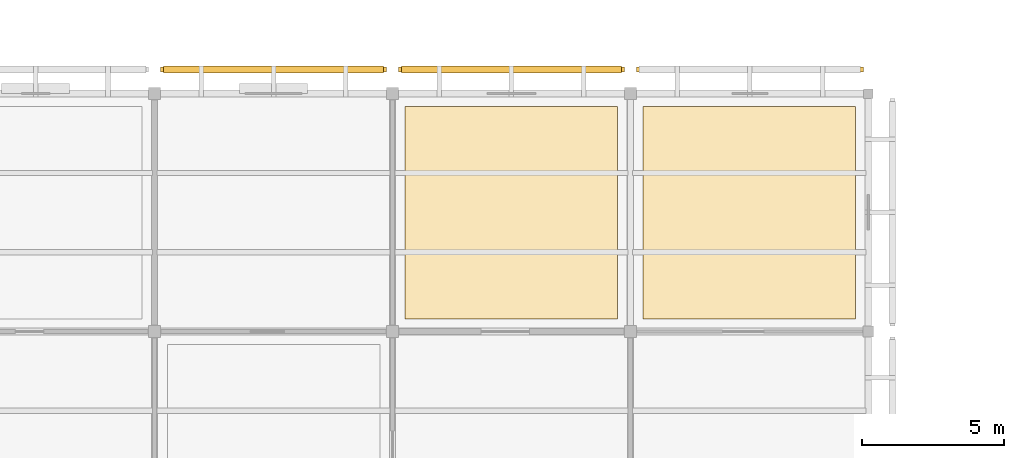
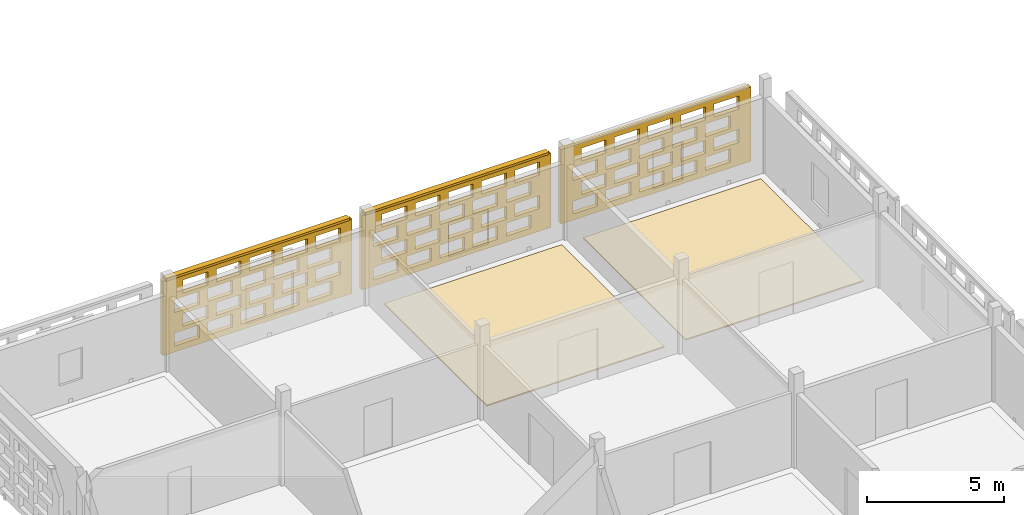
# One storey, part 94 of 103: 5 coverings, 2 shading devices, 60 openings.
"""IFC4 building model written with IfcOpenShell, lengths in metres."""

from ifc_helpers import new_model, si_unit, direction, frame, frame_2d, origin, origin_2d, place, context, subcontext, project, spatial, rectangle, extrude, material, layer, layer_set, type_object, element, save


model = new_model("IFC4")

# Units and contexts
model_context = context("Model", 3, precision=1e-05, world=origin(), true_north=direction((0.0, 1.0)))
body_context = subcontext(model_context, "Body", "Model", "MODEL_VIEW")
ifc_project = project(units=[si_unit("LENGTHUNIT", "METRE"), si_unit("AREAUNIT", "SQUARE_METRE"), si_unit("VOLUMEUNIT", "CUBIC_METRE"), si_unit("PLANEANGLEUNIT", "RADIAN"), si_unit("MASSUNIT", "GRAM", prefix="KILO")], contexts=[model_context])

# Site, building, storey
site_placement = place(None, origin())
site = spatial("IfcSite", under=ifc_project, at=site_placement, CompositionType="ELEMENT")
building_placement = place(site_placement, origin())
building = spatial("IfcBuilding", under=site, at=building_placement, Name="Varnapada Polytechnic", CompositionType="ELEMENT")
storey_placement = place(building_placement, frame((0.0, 0.0, 18.0)))
storey = spatial("IfcBuildingStorey", under=building, at=storey_placement, Name="L04", CompositionType="ELEMENT", Elevation=18.0)

# Coverings
ifc_material_1 = material(Name="End-Grain Timber Studio Block Flooring", Category="wood")
ifc_layer_1 = layer(ifc_material_1, 0.054931640625)
ifc_layer_set_1 = layer_set([ifc_layer_1], Name="End-Grain Timber Studio Block Flooring")
covering_type_1 = type_object("IfcCoveringType", Name="Floor Finish FLR-04", PredefinedType="FLOORING", material=ifc_layer_set_1)
for number, where, z_axis, x_axis, name in (
    (1, (21.0, 121.800048828125, 0.0), (0.0, 0.0, 1.0), (1.0, 0.0, 0.0), "L04 floor finish panel (3,15)"),
    (2, (29.39990234375, 121.800048828125, 0.0), (0.0, 0.0, 1.0), (1.0, 0.0, 0.0), "L04 floor finish panel (4,15)"),
):
    element("IfcCovering", number, at=place(storey_placement, frame(where, z_axis=z_axis, x_axis=x_axis)), inside=storey, type_object=covering_type_1, Name=name, PredefinedType="FLOORING", context=body_context, shape_type="SweptSolid", body=[
        extrude(rectangle(XDim=7.5, YDim=7.5, at=origin_2d()), origin(), (0.0, 0.0, 1.0), 0.054931640625),
    ])

# Covering, openings
ifc_material_2 = material(Name="Earth-toned architectural terracotta screen block", Category="masonry")
ifc_layer_2 = layer(ifc_material_2, 0.1201171875)
ifc_layer_set_2 = layer_set([ifc_layer_2], Name="Earth-toned architectural terracotta screen block")
covering_type_2 = type_object("IfcCoveringType", Name="Terracotta Screen Cladding CLD-01", PredefinedType="CLADDING", material=ifc_layer_set_2)
covering_1_placement = place(storey_placement, frame((8.610107421875, 126.85009765625, 0.0), z_axis=(0.0, 0.0, 1.0), x_axis=(1.0, 0.0, 0.0)))
covering_1 = element("IfcCovering", 3, at=covering_1_placement, inside=storey, type_object=covering_type_2, Name="L04 perforated terracotta block screen (13)", PredefinedType="CLADDING", context=body_context, shape_type="SweptSolid", body=[
    extrude(rectangle(XDim=7.97998046875, YDim=0.179931640625, at=frame_2d((3.989990234375, 0.0))), origin(), (0.0, 0.0, 1.0), 3.320068359375),
])
opening_1_placement = place(covering_1_placement, frame((0.489990234375, 0.0, 0.265625)))
element("IfcOpeningElement", 4, at=opening_1_placement, cuts=covering_1, Name="Screen perforation TBS-L04-012.1", PredefinedType="OPENING", context=body_context, shape_type="SweptSolid", body=[
    extrude(rectangle(XDim=1.0400390625, YDim=0.5810546875, at=frame_2d((0.52001953125, 0.29052734375))), frame((0.0, 0.099853515625, 0.0), z_axis=(0.0, -1.0, 0.0), x_axis=(1.0, 0.0, 0.0)), (0.0, 0.0, 1.0), 0.199951171875),
])
opening_2_placement = place(covering_1_placement, frame((1.889892578125, 0.0, 0.265625)))
element("IfcOpeningElement", 5, at=opening_2_placement, cuts=covering_1, Name="Screen perforation TBS-L04-012.2", PredefinedType="OPENING", context=body_context, shape_type="SweptSolid", body=[
    extrude(rectangle(XDim=1.0400390625, YDim=0.5810546875, at=frame_2d((0.52001953125, 0.29052734375))), frame((0.0, 0.099853515625, 0.0), z_axis=(0.0, -1.0, 0.0), x_axis=(1.0, 0.0, 0.0)), (0.0, 0.0, 1.0), 0.199951171875),
])
opening_3_placement = place(covering_1_placement, frame((3.2900390625, 0.0, 0.265625)))
element("IfcOpeningElement", 6, at=opening_3_placement, cuts=covering_1, Name="Screen perforation TBS-L04-012.3", PredefinedType="OPENING", context=body_context, shape_type="SweptSolid", body=[
    extrude(rectangle(XDim=1.0400390625, YDim=0.5810546875, at=frame_2d((0.52001953125, 0.29052734375))), frame((0.0, 0.099853515625, 0.0), z_axis=(0.0, -1.0, 0.0), x_axis=(1.0, 0.0, 0.0)), (0.0, 0.0, 1.0), 0.199951171875),
])
opening_4_placement = place(covering_1_placement, frame((4.68994140625, 0.0, 0.265625)))
element("IfcOpeningElement", 7, at=opening_4_placement, cuts=covering_1, Name="Screen perforation TBS-L04-012.4", PredefinedType="OPENING", context=body_context, shape_type="SweptSolid", body=[
    extrude(rectangle(XDim=1.0400390625, YDim=0.5810546875, at=frame_2d((0.52001953125, 0.29052734375))), frame((0.0, 0.099853515625, 0.0), z_axis=(0.0, -1.0, 0.0), x_axis=(1.0, 0.0, 0.0)), (0.0, 0.0, 1.0), 0.199951171875),
])
opening_5_placement = place(covering_1_placement, frame((6.090087890625, 0.0, 0.265625)))
element("IfcOpeningElement", 8, at=opening_5_placement, cuts=covering_1, Name="Screen perforation TBS-L04-012.5", PredefinedType="OPENING", context=body_context, shape_type="SweptSolid", body=[
    extrude(rectangle(XDim=1.0400390625, YDim=0.5810546875, at=frame_2d((0.52001953125, 0.29052734375))), frame((0.0, 0.099853515625, 0.0), z_axis=(0.0, -1.0, 0.0), x_axis=(1.0, 0.0, 0.0)), (0.0, 0.0, 1.0), 0.199951171875),
])
opening_6_placement = place(covering_1_placement, frame((0.85009765625, 0.0, 1.0126953125)))
element("IfcOpeningElement", 9, at=opening_6_placement, cuts=covering_1, Name="Screen perforation TBS-L04-012.6", PredefinedType="OPENING", context=body_context, shape_type="SweptSolid", body=[
    extrude(rectangle(XDim=1.0400390625, YDim=0.5810546875, at=frame_2d((0.52001953125, 0.29052734375))), frame((0.0, 0.099853515625, 0.0), z_axis=(0.0, -1.0, 0.0), x_axis=(1.0, 0.0, 0.0)), (0.0, 0.0, 1.0), 0.199951171875),
])
opening_7_placement = place(covering_1_placement, frame((2.25, 0.0, 1.0126953125)))
element("IfcOpeningElement", 10, at=opening_7_placement, cuts=covering_1, Name="Screen perforation TBS-L04-012.7", PredefinedType="OPENING", context=body_context, shape_type="SweptSolid", body=[
    extrude(rectangle(XDim=1.0400390625, YDim=0.5810546875, at=frame_2d((0.52001953125, 0.29052734375))), frame((0.0, 0.099853515625, 0.0), z_axis=(0.0, -1.0, 0.0), x_axis=(1.0, 0.0, 0.0)), (0.0, 0.0, 1.0), 0.199951171875),
])
opening_8_placement = place(covering_1_placement, frame((3.64990234375, 0.0, 1.0126953125)))
element("IfcOpeningElement", 11, at=opening_8_placement, cuts=covering_1, Name="Screen perforation TBS-L04-012.8", PredefinedType="OPENING", context=body_context, shape_type="SweptSolid", body=[
    extrude(rectangle(XDim=1.0400390625, YDim=0.5810546875, at=frame_2d((0.52001953125, 0.29052734375))), frame((0.0, 0.099853515625, 0.0), z_axis=(0.0, -1.0, 0.0), x_axis=(1.0, 0.0, 0.0)), (0.0, 0.0, 1.0), 0.199951171875),
])
opening_9_placement = place(covering_1_placement, frame((5.050048828125, 0.0, 1.0126953125)))
element("IfcOpeningElement", 12, at=opening_9_placement, cuts=covering_1, Name="Screen perforation TBS-L04-012.9", PredefinedType="OPENING", context=body_context, shape_type="SweptSolid", body=[
    extrude(rectangle(XDim=1.0400390625, YDim=0.5810546875, at=frame_2d((0.52001953125, 0.29052734375))), frame((0.0, 0.099853515625, 0.0), z_axis=(0.0, -1.0, 0.0), x_axis=(1.0, 0.0, 0.0)), (0.0, 0.0, 1.0), 0.199951171875),
])
opening_10_placement = place(covering_1_placement, frame((6.449951171875, 0.0, 1.0126953125)))
element("IfcOpeningElement", 13, at=opening_10_placement, cuts=covering_1, Name="Screen perforation TBS-L04-012.10", PredefinedType="OPENING", context=body_context, shape_type="SweptSolid", body=[
    extrude(rectangle(XDim=1.0400390625, YDim=0.5810546875, at=frame_2d((0.52001953125, 0.29052734375))), frame((0.0, 0.099853515625, 0.0), z_axis=(0.0, -1.0, 0.0), x_axis=(1.0, 0.0, 0.0)), (0.0, 0.0, 1.0), 0.199951171875),
])
opening_11_placement = place(covering_1_placement, frame((0.489990234375, 0.0, 1.759521484375)))
element("IfcOpeningElement", 14, at=opening_11_placement, cuts=covering_1, Name="Screen perforation TBS-L04-012.11", PredefinedType="OPENING", context=body_context, shape_type="SweptSolid", body=[
    extrude(rectangle(XDim=1.0400390625, YDim=0.5810546875, at=frame_2d((0.52001953125, 0.29052734375))), frame((0.0, 0.099853515625, 0.0), z_axis=(0.0, -1.0, 0.0), x_axis=(1.0, 0.0, 0.0)), (0.0, 0.0, 1.0), 0.199951171875),
])
opening_12_placement = place(covering_1_placement, frame((1.889892578125, 0.0, 1.759521484375)))
element("IfcOpeningElement", 15, at=opening_12_placement, cuts=covering_1, Name="Screen perforation TBS-L04-012.12", PredefinedType="OPENING", context=body_context, shape_type="SweptSolid", body=[
    extrude(rectangle(XDim=1.0400390625, YDim=0.5810546875, at=frame_2d((0.52001953125, 0.29052734375))), frame((0.0, 0.099853515625, 0.0), z_axis=(0.0, -1.0, 0.0), x_axis=(1.0, 0.0, 0.0)), (0.0, 0.0, 1.0), 0.199951171875),
])
opening_13_placement = place(covering_1_placement, frame((3.2900390625, 0.0, 1.759521484375)))
element("IfcOpeningElement", 16, at=opening_13_placement, cuts=covering_1, Name="Screen perforation TBS-L04-012.13", PredefinedType="OPENING", context=body_context, shape_type="SweptSolid", body=[
    extrude(rectangle(XDim=1.0400390625, YDim=0.5810546875, at=frame_2d((0.52001953125, 0.29052734375))), frame((0.0, 0.099853515625, 0.0), z_axis=(0.0, -1.0, 0.0), x_axis=(1.0, 0.0, 0.0)), (0.0, 0.0, 1.0), 0.199951171875),
])
opening_14_placement = place(covering_1_placement, frame((4.68994140625, 0.0, 1.759521484375)))
element("IfcOpeningElement", 17, at=opening_14_placement, cuts=covering_1, Name="Screen perforation TBS-L04-012.14", PredefinedType="OPENING", context=body_context, shape_type="SweptSolid", body=[
    extrude(rectangle(XDim=1.0400390625, YDim=0.5810546875, at=frame_2d((0.52001953125, 0.29052734375))), frame((0.0, 0.099853515625, 0.0), z_axis=(0.0, -1.0, 0.0), x_axis=(1.0, 0.0, 0.0)), (0.0, 0.0, 1.0), 0.199951171875),
])
opening_15_placement = place(covering_1_placement, frame((6.090087890625, 0.0, 1.759521484375)))
element("IfcOpeningElement", 18, at=opening_15_placement, cuts=covering_1, Name="Screen perforation TBS-L04-012.15", PredefinedType="OPENING", context=body_context, shape_type="SweptSolid", body=[
    extrude(rectangle(XDim=1.0400390625, YDim=0.5810546875, at=frame_2d((0.52001953125, 0.29052734375))), frame((0.0, 0.099853515625, 0.0), z_axis=(0.0, -1.0, 0.0), x_axis=(1.0, 0.0, 0.0)), (0.0, 0.0, 1.0), 0.199951171875),
])
opening_16_placement = place(covering_1_placement, frame((0.85009765625, 0.0, 2.506591796875)))
element("IfcOpeningElement", 19, at=opening_16_placement, cuts=covering_1, Name="Screen perforation TBS-L04-012.16", PredefinedType="OPENING", context=body_context, shape_type="SweptSolid", body=[
    extrude(rectangle(XDim=1.0400390625, YDim=0.5810546875, at=frame_2d((0.52001953125, 0.29052734375))), frame((0.0, 0.099853515625, 0.0), z_axis=(0.0, -1.0, 0.0), x_axis=(1.0, 0.0, 0.0)), (0.0, 0.0, 1.0), 0.199951171875),
])
opening_17_placement = place(covering_1_placement, frame((2.25, 0.0, 2.506591796875)))
element("IfcOpeningElement", 20, at=opening_17_placement, cuts=covering_1, Name="Screen perforation TBS-L04-012.17", PredefinedType="OPENING", context=body_context, shape_type="SweptSolid", body=[
    extrude(rectangle(XDim=1.0400390625, YDim=0.5810546875, at=frame_2d((0.52001953125, 0.29052734375))), frame((0.0, 0.099853515625, 0.0), z_axis=(0.0, -1.0, 0.0), x_axis=(1.0, 0.0, 0.0)), (0.0, 0.0, 1.0), 0.199951171875),
])
opening_18_placement = place(covering_1_placement, frame((3.64990234375, 0.0, 2.506591796875)))
element("IfcOpeningElement", 21, at=opening_18_placement, cuts=covering_1, Name="Screen perforation TBS-L04-012.18", PredefinedType="OPENING", context=body_context, shape_type="SweptSolid", body=[
    extrude(rectangle(XDim=1.0400390625, YDim=0.5810546875, at=frame_2d((0.52001953125, 0.29052734375))), frame((0.0, 0.099853515625, 0.0), z_axis=(0.0, -1.0, 0.0), x_axis=(1.0, 0.0, 0.0)), (0.0, 0.0, 1.0), 0.199951171875),
])
opening_19_placement = place(covering_1_placement, frame((5.050048828125, 0.0, 2.506591796875)))
element("IfcOpeningElement", 22, at=opening_19_placement, cuts=covering_1, Name="Screen perforation TBS-L04-012.19", PredefinedType="OPENING", context=body_context, shape_type="SweptSolid", body=[
    extrude(rectangle(XDim=1.0400390625, YDim=0.5810546875, at=frame_2d((0.52001953125, 0.29052734375))), frame((0.0, 0.099853515625, 0.0), z_axis=(0.0, -1.0, 0.0), x_axis=(1.0, 0.0, 0.0)), (0.0, 0.0, 1.0), 0.199951171875),
])
opening_20_placement = place(covering_1_placement, frame((6.449951171875, 0.0, 2.506591796875)))
element("IfcOpeningElement", 23, at=opening_20_placement, cuts=covering_1, Name="Screen perforation TBS-L04-012.20", PredefinedType="OPENING", context=body_context, shape_type="SweptSolid", body=[
    extrude(rectangle(XDim=1.0400390625, YDim=0.5810546875, at=frame_2d((0.52001953125, 0.29052734375))), frame((0.0, 0.099853515625, 0.0), z_axis=(0.0, -1.0, 0.0), x_axis=(1.0, 0.0, 0.0)), (0.0, 0.0, 1.0), 0.199951171875),
])

covering_2_placement = place(storey_placement, frame((17.010009765625, 126.85009765625, 0.0), z_axis=(0.0, 0.0, 1.0), x_axis=(1.0, 0.0, 0.0)))
covering_2 = element("IfcCovering", 24, at=covering_2_placement, inside=storey, type_object=covering_type_2, Name="L04 perforated terracotta block screen (20)", PredefinedType="CLADDING", context=body_context, shape_type="SweptSolid", body=[
    extrude(rectangle(XDim=7.97998046875, YDim=0.179931640625, at=frame_2d((3.989990234375, 0.0))), origin(), (0.0, 0.0, 1.0), 3.320068359375),
])
opening_21_placement = place(covering_2_placement, frame((0.489990234375, 0.0, 0.265625)))
element("IfcOpeningElement", 25, at=opening_21_placement, cuts=covering_2, Name="Screen perforation TBS-L04-019.1", PredefinedType="OPENING", context=body_context, shape_type="SweptSolid", body=[
    extrude(rectangle(XDim=1.0400390625, YDim=0.5810546875, at=frame_2d((0.52001953125, 0.29052734375))), frame((0.0, 0.099853515625, 0.0), z_axis=(0.0, -1.0, 0.0), x_axis=(1.0, 0.0, 0.0)), (0.0, 0.0, 1.0), 0.199951171875),
])
opening_22_placement = place(covering_2_placement, frame((1.889892578125, 0.0, 0.265625)))
element("IfcOpeningElement", 26, at=opening_22_placement, cuts=covering_2, Name="Screen perforation TBS-L04-019.2", PredefinedType="OPENING", context=body_context, shape_type="SweptSolid", body=[
    extrude(rectangle(XDim=1.0400390625, YDim=0.5810546875, at=frame_2d((0.52001953125, 0.29052734375))), frame((0.0, 0.099853515625, 0.0), z_axis=(0.0, -1.0, 0.0), x_axis=(1.0, 0.0, 0.0)), (0.0, 0.0, 1.0), 0.199951171875),
])
opening_23_placement = place(covering_2_placement, frame((3.2900390625, 0.0, 0.265625)))
element("IfcOpeningElement", 27, at=opening_23_placement, cuts=covering_2, Name="Screen perforation TBS-L04-019.3", PredefinedType="OPENING", context=body_context, shape_type="SweptSolid", body=[
    extrude(rectangle(XDim=1.0400390625, YDim=0.5810546875, at=frame_2d((0.52001953125, 0.29052734375))), frame((0.0, 0.099853515625, 0.0), z_axis=(0.0, -1.0, 0.0), x_axis=(1.0, 0.0, 0.0)), (0.0, 0.0, 1.0), 0.199951171875),
])
opening_24_placement = place(covering_2_placement, frame((4.68994140625, 0.0, 0.265625)))
element("IfcOpeningElement", 28, at=opening_24_placement, cuts=covering_2, Name="Screen perforation TBS-L04-019.4", PredefinedType="OPENING", context=body_context, shape_type="SweptSolid", body=[
    extrude(rectangle(XDim=1.0400390625, YDim=0.5810546875, at=frame_2d((0.52001953125, 0.29052734375))), frame((0.0, 0.099853515625, 0.0), z_axis=(0.0, -1.0, 0.0), x_axis=(1.0, 0.0, 0.0)), (0.0, 0.0, 1.0), 0.199951171875),
])
opening_25_placement = place(covering_2_placement, frame((6.090087890625, 0.0, 0.265625)))
element("IfcOpeningElement", 29, at=opening_25_placement, cuts=covering_2, Name="Screen perforation TBS-L04-019.5", PredefinedType="OPENING", context=body_context, shape_type="SweptSolid", body=[
    extrude(rectangle(XDim=1.0400390625, YDim=0.5810546875, at=frame_2d((0.52001953125, 0.29052734375))), frame((0.0, 0.099853515625, 0.0), z_axis=(0.0, -1.0, 0.0), x_axis=(1.0, 0.0, 0.0)), (0.0, 0.0, 1.0), 0.199951171875),
])
opening_26_placement = place(covering_2_placement, frame((0.85009765625, 0.0, 1.0126953125)))
element("IfcOpeningElement", 30, at=opening_26_placement, cuts=covering_2, Name="Screen perforation TBS-L04-019.6", PredefinedType="OPENING", context=body_context, shape_type="SweptSolid", body=[
    extrude(rectangle(XDim=1.0400390625, YDim=0.5810546875, at=frame_2d((0.52001953125, 0.29052734375))), frame((0.0, 0.099853515625, 0.0), z_axis=(0.0, -1.0, 0.0), x_axis=(1.0, 0.0, 0.0)), (0.0, 0.0, 1.0), 0.199951171875),
])
opening_27_placement = place(covering_2_placement, frame((2.25, 0.0, 1.0126953125)))
element("IfcOpeningElement", 31, at=opening_27_placement, cuts=covering_2, Name="Screen perforation TBS-L04-019.7", PredefinedType="OPENING", context=body_context, shape_type="SweptSolid", body=[
    extrude(rectangle(XDim=1.0400390625, YDim=0.5810546875, at=frame_2d((0.52001953125, 0.29052734375))), frame((0.0, 0.099853515625, 0.0), z_axis=(0.0, -1.0, 0.0), x_axis=(1.0, 0.0, 0.0)), (0.0, 0.0, 1.0), 0.199951171875),
])
opening_28_placement = place(covering_2_placement, frame((3.64990234375, 0.0, 1.0126953125)))
element("IfcOpeningElement", 32, at=opening_28_placement, cuts=covering_2, Name="Screen perforation TBS-L04-019.8", PredefinedType="OPENING", context=body_context, shape_type="SweptSolid", body=[
    extrude(rectangle(XDim=1.0400390625, YDim=0.5810546875, at=frame_2d((0.52001953125, 0.29052734375))), frame((0.0, 0.099853515625, 0.0), z_axis=(0.0, -1.0, 0.0), x_axis=(1.0, 0.0, 0.0)), (0.0, 0.0, 1.0), 0.199951171875),
])
opening_29_placement = place(covering_2_placement, frame((5.050048828125, 0.0, 1.0126953125)))
element("IfcOpeningElement", 33, at=opening_29_placement, cuts=covering_2, Name="Screen perforation TBS-L04-019.9", PredefinedType="OPENING", context=body_context, shape_type="SweptSolid", body=[
    extrude(rectangle(XDim=1.0400390625, YDim=0.5810546875, at=frame_2d((0.52001953125, 0.29052734375))), frame((0.0, 0.099853515625, 0.0), z_axis=(0.0, -1.0, 0.0), x_axis=(1.0, 0.0, 0.0)), (0.0, 0.0, 1.0), 0.199951171875),
])
opening_30_placement = place(covering_2_placement, frame((6.449951171875, 0.0, 1.0126953125)))
element("IfcOpeningElement", 34, at=opening_30_placement, cuts=covering_2, Name="Screen perforation TBS-L04-019.10", PredefinedType="OPENING", context=body_context, shape_type="SweptSolid", body=[
    extrude(rectangle(XDim=1.0400390625, YDim=0.5810546875, at=frame_2d((0.52001953125, 0.29052734375))), frame((0.0, 0.099853515625, 0.0), z_axis=(0.0, -1.0, 0.0), x_axis=(1.0, 0.0, 0.0)), (0.0, 0.0, 1.0), 0.199951171875),
])
opening_31_placement = place(covering_2_placement, frame((0.489990234375, 0.0, 1.759521484375)))
element("IfcOpeningElement", 35, at=opening_31_placement, cuts=covering_2, Name="Screen perforation TBS-L04-019.11", PredefinedType="OPENING", context=body_context, shape_type="SweptSolid", body=[
    extrude(rectangle(XDim=1.0400390625, YDim=0.5810546875, at=frame_2d((0.52001953125, 0.29052734375))), frame((0.0, 0.099853515625, 0.0), z_axis=(0.0, -1.0, 0.0), x_axis=(1.0, 0.0, 0.0)), (0.0, 0.0, 1.0), 0.199951171875),
])
opening_32_placement = place(covering_2_placement, frame((1.889892578125, 0.0, 1.759521484375)))
element("IfcOpeningElement", 36, at=opening_32_placement, cuts=covering_2, Name="Screen perforation TBS-L04-019.12", PredefinedType="OPENING", context=body_context, shape_type="SweptSolid", body=[
    extrude(rectangle(XDim=1.0400390625, YDim=0.5810546875, at=frame_2d((0.52001953125, 0.29052734375))), frame((0.0, 0.099853515625, 0.0), z_axis=(0.0, -1.0, 0.0), x_axis=(1.0, 0.0, 0.0)), (0.0, 0.0, 1.0), 0.199951171875),
])
opening_33_placement = place(covering_2_placement, frame((3.2900390625, 0.0, 1.759521484375)))
element("IfcOpeningElement", 37, at=opening_33_placement, cuts=covering_2, Name="Screen perforation TBS-L04-019.13", PredefinedType="OPENING", context=body_context, shape_type="SweptSolid", body=[
    extrude(rectangle(XDim=1.0400390625, YDim=0.5810546875, at=frame_2d((0.52001953125, 0.29052734375))), frame((0.0, 0.099853515625, 0.0), z_axis=(0.0, -1.0, 0.0), x_axis=(1.0, 0.0, 0.0)), (0.0, 0.0, 1.0), 0.199951171875),
])
opening_34_placement = place(covering_2_placement, frame((4.68994140625, 0.0, 1.759521484375)))
element("IfcOpeningElement", 38, at=opening_34_placement, cuts=covering_2, Name="Screen perforation TBS-L04-019.14", PredefinedType="OPENING", context=body_context, shape_type="SweptSolid", body=[
    extrude(rectangle(XDim=1.0400390625, YDim=0.5810546875, at=frame_2d((0.52001953125, 0.29052734375))), frame((0.0, 0.099853515625, 0.0), z_axis=(0.0, -1.0, 0.0), x_axis=(1.0, 0.0, 0.0)), (0.0, 0.0, 1.0), 0.199951171875),
])
opening_35_placement = place(covering_2_placement, frame((6.090087890625, 0.0, 1.759521484375)))
element("IfcOpeningElement", 39, at=opening_35_placement, cuts=covering_2, Name="Screen perforation TBS-L04-019.15", PredefinedType="OPENING", context=body_context, shape_type="SweptSolid", body=[
    extrude(rectangle(XDim=1.0400390625, YDim=0.5810546875, at=frame_2d((0.52001953125, 0.29052734375))), frame((0.0, 0.099853515625, 0.0), z_axis=(0.0, -1.0, 0.0), x_axis=(1.0, 0.0, 0.0)), (0.0, 0.0, 1.0), 0.199951171875),
])
opening_36_placement = place(covering_2_placement, frame((0.85009765625, 0.0, 2.506591796875)))
element("IfcOpeningElement", 40, at=opening_36_placement, cuts=covering_2, Name="Screen perforation TBS-L04-019.16", PredefinedType="OPENING", context=body_context, shape_type="SweptSolid", body=[
    extrude(rectangle(XDim=1.0400390625, YDim=0.5810546875, at=frame_2d((0.52001953125, 0.29052734375))), frame((0.0, 0.099853515625, 0.0), z_axis=(0.0, -1.0, 0.0), x_axis=(1.0, 0.0, 0.0)), (0.0, 0.0, 1.0), 0.199951171875),
])
opening_37_placement = place(covering_2_placement, frame((2.25, 0.0, 2.506591796875)))
element("IfcOpeningElement", 41, at=opening_37_placement, cuts=covering_2, Name="Screen perforation TBS-L04-019.17", PredefinedType="OPENING", context=body_context, shape_type="SweptSolid", body=[
    extrude(rectangle(XDim=1.0400390625, YDim=0.5810546875, at=frame_2d((0.52001953125, 0.29052734375))), frame((0.0, 0.099853515625, 0.0), z_axis=(0.0, -1.0, 0.0), x_axis=(1.0, 0.0, 0.0)), (0.0, 0.0, 1.0), 0.199951171875),
])
opening_38_placement = place(covering_2_placement, frame((3.64990234375, 0.0, 2.506591796875)))
element("IfcOpeningElement", 42, at=opening_38_placement, cuts=covering_2, Name="Screen perforation TBS-L04-019.18", PredefinedType="OPENING", context=body_context, shape_type="SweptSolid", body=[
    extrude(rectangle(XDim=1.0400390625, YDim=0.5810546875, at=frame_2d((0.52001953125, 0.29052734375))), frame((0.0, 0.099853515625, 0.0), z_axis=(0.0, -1.0, 0.0), x_axis=(1.0, 0.0, 0.0)), (0.0, 0.0, 1.0), 0.199951171875),
])
opening_39_placement = place(covering_2_placement, frame((5.050048828125, 0.0, 2.506591796875)))
element("IfcOpeningElement", 43, at=opening_39_placement, cuts=covering_2, Name="Screen perforation TBS-L04-019.19", PredefinedType="OPENING", context=body_context, shape_type="SweptSolid", body=[
    extrude(rectangle(XDim=1.0400390625, YDim=0.5810546875, at=frame_2d((0.52001953125, 0.29052734375))), frame((0.0, 0.099853515625, 0.0), z_axis=(0.0, -1.0, 0.0), x_axis=(1.0, 0.0, 0.0)), (0.0, 0.0, 1.0), 0.199951171875),
])
opening_40_placement = place(covering_2_placement, frame((6.449951171875, 0.0, 2.506591796875)))
element("IfcOpeningElement", 44, at=opening_40_placement, cuts=covering_2, Name="Screen perforation TBS-L04-019.20", PredefinedType="OPENING", context=body_context, shape_type="SweptSolid", body=[
    extrude(rectangle(XDim=1.0400390625, YDim=0.5810546875, at=frame_2d((0.52001953125, 0.29052734375))), frame((0.0, 0.099853515625, 0.0), z_axis=(0.0, -1.0, 0.0), x_axis=(1.0, 0.0, 0.0)), (0.0, 0.0, 1.0), 0.199951171875),
])

covering_3_placement = place(storey_placement, frame((25.409912109375, 126.85009765625, 0.0), z_axis=(0.0, 0.0, 1.0), x_axis=(1.0, 0.0, 0.0)))
covering_3 = element("IfcCovering", 45, at=covering_3_placement, inside=storey, type_object=covering_type_2, Name="L04 perforated terracotta block screen (32)", PredefinedType="CLADDING", context=body_context, shape_type="SweptSolid", body=[
    extrude(rectangle(XDim=8.02001953125, YDim=0.179931640625, at=frame_2d((4.010009765625, 0.0))), origin(), (0.0, 0.0, 1.0), 3.320068359375),
])
opening_41_placement = place(covering_3_placement, frame((0.510009765625, 0.0, 0.265625)))
element("IfcOpeningElement", 46, at=opening_41_placement, cuts=covering_3, Name="Screen perforation TBS-L04-031.1", PredefinedType="OPENING", context=body_context, shape_type="SweptSolid", body=[
    extrude(rectangle(XDim=1.0400390625, YDim=0.5810546875, at=frame_2d((0.52001953125, 0.29052734375))), frame((0.0, 0.099853515625, 0.0), z_axis=(0.0, -1.0, 0.0), x_axis=(1.0, 0.0, 0.0)), (0.0, 0.0, 1.0), 0.199951171875),
])
opening_42_placement = place(covering_3_placement, frame((1.909912109375, 0.0, 0.265625)))
element("IfcOpeningElement", 47, at=opening_42_placement, cuts=covering_3, Name="Screen perforation TBS-L04-031.2", PredefinedType="OPENING", context=body_context, shape_type="SweptSolid", body=[
    extrude(rectangle(XDim=1.0400390625, YDim=0.5810546875, at=frame_2d((0.52001953125, 0.29052734375))), frame((0.0, 0.099853515625, 0.0), z_axis=(0.0, -1.0, 0.0), x_axis=(1.0, 0.0, 0.0)), (0.0, 0.0, 1.0), 0.199951171875),
])
opening_43_placement = place(covering_3_placement, frame((3.31005859375, 0.0, 0.265625)))
element("IfcOpeningElement", 48, at=opening_43_placement, cuts=covering_3, Name="Screen perforation TBS-L04-031.3", PredefinedType="OPENING", context=body_context, shape_type="SweptSolid", body=[
    extrude(rectangle(XDim=1.0400390625, YDim=0.5810546875, at=frame_2d((0.52001953125, 0.29052734375))), frame((0.0, 0.099853515625, 0.0), z_axis=(0.0, -1.0, 0.0), x_axis=(1.0, 0.0, 0.0)), (0.0, 0.0, 1.0), 0.199951171875),
])
opening_44_placement = place(covering_3_placement, frame((4.7099609375, 0.0, 0.265625)))
element("IfcOpeningElement", 49, at=opening_44_placement, cuts=covering_3, Name="Screen perforation TBS-L04-031.4", PredefinedType="OPENING", context=body_context, shape_type="SweptSolid", body=[
    extrude(rectangle(XDim=1.0400390625, YDim=0.5810546875, at=frame_2d((0.52001953125, 0.29052734375))), frame((0.0, 0.099853515625, 0.0), z_axis=(0.0, -1.0, 0.0), x_axis=(1.0, 0.0, 0.0)), (0.0, 0.0, 1.0), 0.199951171875),
])
opening_45_placement = place(covering_3_placement, frame((6.110107421875, 0.0, 0.265625)))
element("IfcOpeningElement", 50, at=opening_45_placement, cuts=covering_3, Name="Screen perforation TBS-L04-031.5", PredefinedType="OPENING", context=body_context, shape_type="SweptSolid", body=[
    extrude(rectangle(XDim=1.0400390625, YDim=0.5810546875, at=frame_2d((0.52001953125, 0.29052734375))), frame((0.0, 0.099853515625, 0.0), z_axis=(0.0, -1.0, 0.0), x_axis=(1.0, 0.0, 0.0)), (0.0, 0.0, 1.0), 0.199951171875),
])
opening_46_placement = place(covering_3_placement, frame((0.8701171875, 0.0, 1.0126953125)))
element("IfcOpeningElement", 51, at=opening_46_placement, cuts=covering_3, Name="Screen perforation TBS-L04-031.6", PredefinedType="OPENING", context=body_context, shape_type="SweptSolid", body=[
    extrude(rectangle(XDim=1.0400390625, YDim=0.5810546875, at=frame_2d((0.52001953125, 0.29052734375))), frame((0.0, 0.099853515625, 0.0), z_axis=(0.0, -1.0, 0.0), x_axis=(1.0, 0.0, 0.0)), (0.0, 0.0, 1.0), 0.199951171875),
])
opening_47_placement = place(covering_3_placement, frame((2.27001953125, 0.0, 1.0126953125)))
element("IfcOpeningElement", 52, at=opening_47_placement, cuts=covering_3, Name="Screen perforation TBS-L04-031.7", PredefinedType="OPENING", context=body_context, shape_type="SweptSolid", body=[
    extrude(rectangle(XDim=1.0400390625, YDim=0.5810546875, at=frame_2d((0.52001953125, 0.29052734375))), frame((0.0, 0.099853515625, 0.0), z_axis=(0.0, -1.0, 0.0), x_axis=(1.0, 0.0, 0.0)), (0.0, 0.0, 1.0), 0.199951171875),
])
opening_48_placement = place(covering_3_placement, frame((3.669921875, 0.0, 1.0126953125)))
element("IfcOpeningElement", 53, at=opening_48_placement, cuts=covering_3, Name="Screen perforation TBS-L04-031.8", PredefinedType="OPENING", context=body_context, shape_type="SweptSolid", body=[
    extrude(rectangle(XDim=1.0400390625, YDim=0.5810546875, at=frame_2d((0.52001953125, 0.29052734375))), frame((0.0, 0.099853515625, 0.0), z_axis=(0.0, -1.0, 0.0), x_axis=(1.0, 0.0, 0.0)), (0.0, 0.0, 1.0), 0.199951171875),
])
opening_49_placement = place(covering_3_placement, frame((5.070068359375, 0.0, 1.0126953125)))
element("IfcOpeningElement", 54, at=opening_49_placement, cuts=covering_3, Name="Screen perforation TBS-L04-031.9", PredefinedType="OPENING", context=body_context, shape_type="SweptSolid", body=[
    extrude(rectangle(XDim=1.0400390625, YDim=0.5810546875, at=frame_2d((0.52001953125, 0.29052734375))), frame((0.0, 0.099853515625, 0.0), z_axis=(0.0, -1.0, 0.0), x_axis=(1.0, 0.0, 0.0)), (0.0, 0.0, 1.0), 0.199951171875),
])
opening_50_placement = place(covering_3_placement, frame((6.469970703125, 0.0, 1.0126953125)))
element("IfcOpeningElement", 55, at=opening_50_placement, cuts=covering_3, Name="Screen perforation TBS-L04-031.10", PredefinedType="OPENING", context=body_context, shape_type="SweptSolid", body=[
    extrude(rectangle(XDim=1.0400390625, YDim=0.5810546875, at=frame_2d((0.52001953125, 0.29052734375))), frame((0.0, 0.099853515625, 0.0), z_axis=(0.0, -1.0, 0.0), x_axis=(1.0, 0.0, 0.0)), (0.0, 0.0, 1.0), 0.199951171875),
])
opening_51_placement = place(covering_3_placement, frame((0.510009765625, 0.0, 1.759521484375)))
element("IfcOpeningElement", 56, at=opening_51_placement, cuts=covering_3, Name="Screen perforation TBS-L04-031.11", PredefinedType="OPENING", context=body_context, shape_type="SweptSolid", body=[
    extrude(rectangle(XDim=1.0400390625, YDim=0.5810546875, at=frame_2d((0.52001953125, 0.29052734375))), frame((0.0, 0.099853515625, 0.0), z_axis=(0.0, -1.0, 0.0), x_axis=(1.0, 0.0, 0.0)), (0.0, 0.0, 1.0), 0.199951171875),
])
opening_52_placement = place(covering_3_placement, frame((1.909912109375, 0.0, 1.759521484375)))
element("IfcOpeningElement", 57, at=opening_52_placement, cuts=covering_3, Name="Screen perforation TBS-L04-031.12", PredefinedType="OPENING", context=body_context, shape_type="SweptSolid", body=[
    extrude(rectangle(XDim=1.0400390625, YDim=0.5810546875, at=frame_2d((0.52001953125, 0.29052734375))), frame((0.0, 0.099853515625, 0.0), z_axis=(0.0, -1.0, 0.0), x_axis=(1.0, 0.0, 0.0)), (0.0, 0.0, 1.0), 0.199951171875),
])
opening_53_placement = place(covering_3_placement, frame((3.31005859375, 0.0, 1.759521484375)))
element("IfcOpeningElement", 58, at=opening_53_placement, cuts=covering_3, Name="Screen perforation TBS-L04-031.13", PredefinedType="OPENING", context=body_context, shape_type="SweptSolid", body=[
    extrude(rectangle(XDim=1.0400390625, YDim=0.5810546875, at=frame_2d((0.52001953125, 0.29052734375))), frame((0.0, 0.099853515625, 0.0), z_axis=(0.0, -1.0, 0.0), x_axis=(1.0, 0.0, 0.0)), (0.0, 0.0, 1.0), 0.199951171875),
])
opening_54_placement = place(covering_3_placement, frame((4.7099609375, 0.0, 1.759521484375)))
element("IfcOpeningElement", 59, at=opening_54_placement, cuts=covering_3, Name="Screen perforation TBS-L04-031.14", PredefinedType="OPENING", context=body_context, shape_type="SweptSolid", body=[
    extrude(rectangle(XDim=1.0400390625, YDim=0.5810546875, at=frame_2d((0.52001953125, 0.29052734375))), frame((0.0, 0.099853515625, 0.0), z_axis=(0.0, -1.0, 0.0), x_axis=(1.0, 0.0, 0.0)), (0.0, 0.0, 1.0), 0.199951171875),
])
opening_55_placement = place(covering_3_placement, frame((6.110107421875, 0.0, 1.759521484375)))
element("IfcOpeningElement", 60, at=opening_55_placement, cuts=covering_3, Name="Screen perforation TBS-L04-031.15", PredefinedType="OPENING", context=body_context, shape_type="SweptSolid", body=[
    extrude(rectangle(XDim=1.0400390625, YDim=0.5810546875, at=frame_2d((0.52001953125, 0.29052734375))), frame((0.0, 0.099853515625, 0.0), z_axis=(0.0, -1.0, 0.0), x_axis=(1.0, 0.0, 0.0)), (0.0, 0.0, 1.0), 0.199951171875),
])
opening_56_placement = place(covering_3_placement, frame((0.8701171875, 0.0, 2.506591796875)))
element("IfcOpeningElement", 61, at=opening_56_placement, cuts=covering_3, Name="Screen perforation TBS-L04-031.16", PredefinedType="OPENING", context=body_context, shape_type="SweptSolid", body=[
    extrude(rectangle(XDim=1.0400390625, YDim=0.5810546875, at=frame_2d((0.52001953125, 0.29052734375))), frame((0.0, 0.099853515625, 0.0), z_axis=(0.0, -1.0, 0.0), x_axis=(1.0, 0.0, 0.0)), (0.0, 0.0, 1.0), 0.199951171875),
])
opening_57_placement = place(covering_3_placement, frame((2.27001953125, 0.0, 2.506591796875)))
element("IfcOpeningElement", 62, at=opening_57_placement, cuts=covering_3, Name="Screen perforation TBS-L04-031.17", PredefinedType="OPENING", context=body_context, shape_type="SweptSolid", body=[
    extrude(rectangle(XDim=1.0400390625, YDim=0.5810546875, at=frame_2d((0.52001953125, 0.29052734375))), frame((0.0, 0.099853515625, 0.0), z_axis=(0.0, -1.0, 0.0), x_axis=(1.0, 0.0, 0.0)), (0.0, 0.0, 1.0), 0.199951171875),
])
opening_58_placement = place(covering_3_placement, frame((3.669921875, 0.0, 2.506591796875)))
element("IfcOpeningElement", 63, at=opening_58_placement, cuts=covering_3, Name="Screen perforation TBS-L04-031.18", PredefinedType="OPENING", context=body_context, shape_type="SweptSolid", body=[
    extrude(rectangle(XDim=1.0400390625, YDim=0.5810546875, at=frame_2d((0.52001953125, 0.29052734375))), frame((0.0, 0.099853515625, 0.0), z_axis=(0.0, -1.0, 0.0), x_axis=(1.0, 0.0, 0.0)), (0.0, 0.0, 1.0), 0.199951171875),
])
opening_59_placement = place(covering_3_placement, frame((5.070068359375, 0.0, 2.506591796875)))
element("IfcOpeningElement", 64, at=opening_59_placement, cuts=covering_3, Name="Screen perforation TBS-L04-031.19", PredefinedType="OPENING", context=body_context, shape_type="SweptSolid", body=[
    extrude(rectangle(XDim=1.0400390625, YDim=0.5810546875, at=frame_2d((0.52001953125, 0.29052734375))), frame((0.0, 0.099853515625, 0.0), z_axis=(0.0, -1.0, 0.0), x_axis=(1.0, 0.0, 0.0)), (0.0, 0.0, 1.0), 0.199951171875),
])
opening_60_placement = place(covering_3_placement, frame((6.469970703125, 0.0, 2.506591796875)))
element("IfcOpeningElement", 65, at=opening_60_placement, cuts=covering_3, Name="Screen perforation TBS-L04-031.20", PredefinedType="OPENING", context=body_context, shape_type="SweptSolid", body=[
    extrude(rectangle(XDim=1.0400390625, YDim=0.5810546875, at=frame_2d((0.52001953125, 0.29052734375))), frame((0.0, 0.099853515625, 0.0), z_axis=(0.0, -1.0, 0.0), x_axis=(1.0, 0.0, 0.0)), (0.0, 0.0, 1.0), 0.199951171875),
])

# Shading devices
ifc_layer_3 = layer(ifc_material_2, 0.179931640625)
ifc_layer_set_3 = layer_set([ifc_layer_3], Name="Earth-toned architectural terracotta screen block")
shading_device_type = type_object("IfcShadingDeviceType", Name="Terracotta Screen SCR-01", PredefinedType="USERDEFINED", material=ifc_layer_set_3)
for number, where, z_axis, x_axis, name in (
    (66, (12.60009765625, 126.85009765625, 3.31005859375), (0.0, 0.0, 1.0), (1.0, 0.0, 0.0), "L04 perforated terracotta screen hood 435"),
    (67, (21.0, 126.85009765625, 3.31005859375), (0.0, 0.0, 1.0), (1.0, 0.0, 0.0), "L04 perforated terracotta screen hood 439"),
):
    element("IfcShadingDevice", number, at=place(storey_placement, frame(where, z_axis=z_axis, x_axis=x_axis)), inside=storey, type_object=shading_device_type, Name=name, ObjectType="SCREEN", PredefinedType="USERDEFINED", context=body_context, shape_type="SweptSolid", body=[
        extrude(rectangle(XDim=7.780029296875, YDim=0.239990234375, at=origin_2d()), origin(), (0.0, 0.0, 1.0), 0.10009765625),
    ])

save(model, "model.ifc")
